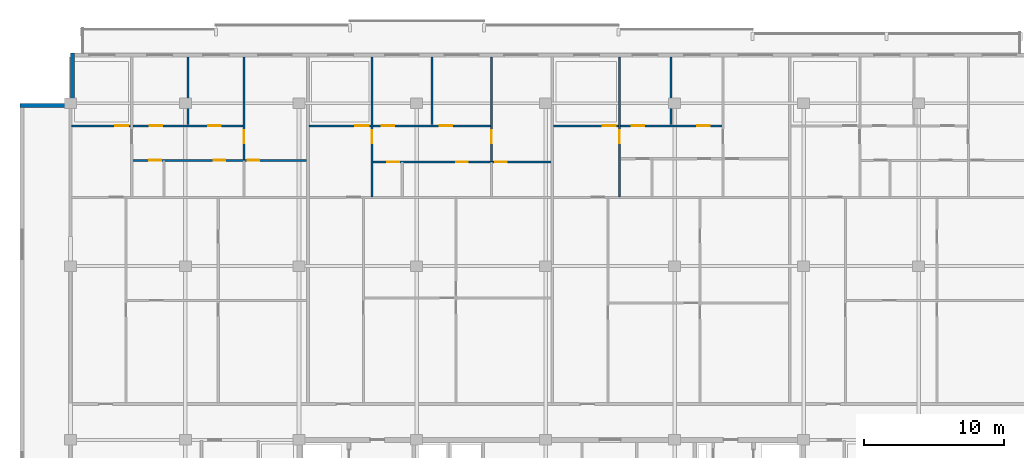
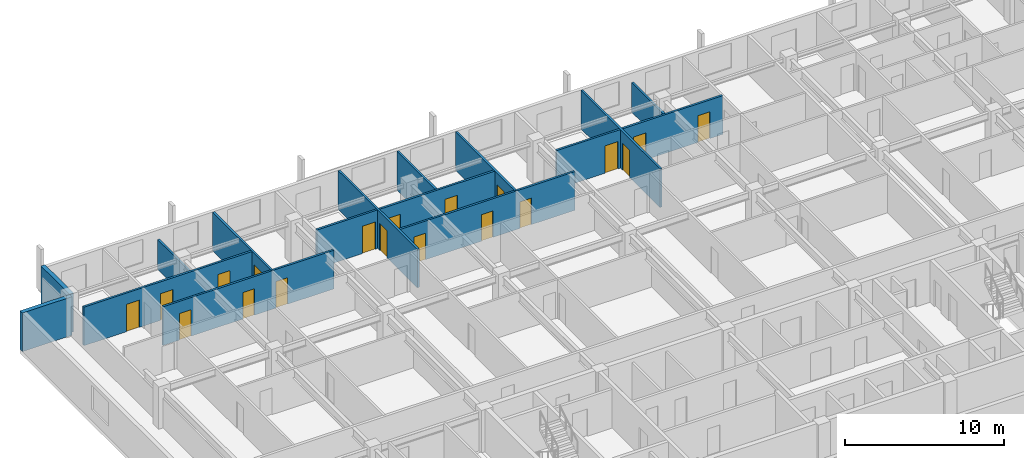
# One storey, part 15 of 24: 19 doors, 14 walls, 19 openings.
"""IFC4 building model written with IfcOpenShell, lengths in metres."""

from ifc_helpers import new_model, si_unit, direction, frame, frame_2d, origin, place, context, subcontext, project, spatial, rectangle, extrude, material, layer, layer_set, type_object, element, fill, save


model = new_model("IFC4")

# Units and contexts
model_context = context("Model", 3, precision=1e-05, world=origin(), true_north=direction((0.0, 1.0)))
body_context = subcontext(model_context, "Body", "Model", "MODEL_VIEW")
ifc_project = project(units=[si_unit("LENGTHUNIT", "METRE"), si_unit("AREAUNIT", "SQUARE_METRE"), si_unit("VOLUMEUNIT", "CUBIC_METRE"), si_unit("PLANEANGLEUNIT", "RADIAN"), si_unit("MASSUNIT", "GRAM", prefix="KILO")], contexts=[model_context])

# Site, building, storey
site_placement = place(None, origin())
site = spatial("IfcSite", under=ifc_project, at=site_placement, CompositionType="ELEMENT")
building_placement = place(site_placement, origin())
building = spatial("IfcBuilding", under=site, at=building_placement, Name="Korimba Cascade Residences", CompositionType="ELEMENT")
storey_placement = place(building_placement, frame((0.0, 0.0, 168.60009765625)))
storey = spatial("IfcBuildingStorey", under=building, at=storey_placement, Name="L48", CompositionType="ELEMENT", Elevation=168.60009765625)

# Walls
ifc_material_1 = material(Name="Precast concrete C40/50", Category="concrete")
ifc_layer_1 = layer(ifc_material_1, 0.300048828125)
ifc_layer_set_1 = layer_set([ifc_layer_1], Name="Precast concrete C40/50")
wall_type_1 = type_object("IfcWallType", Name="EW-STONE-300", PredefinedType="STANDARD", material=ifc_layer_set_1)
for number, where, z_axis, x_axis, name in (
    (1, (59.949951171875, 94.800048828125, 0.0), (0.0, 0.0, 1.0), (0.0, -1.0, 0.0), "L48 T1 Perimeter Stone Wall E07"),
    (2, (59.800048828125, 91.050048828125, 0.0), (0.0, 0.0, 1.0), (-1.0, 0.0, 0.0), "L48 T1 Perimeter Stone Wall E08"),
):
    element("IfcWall", number, at=place(storey_placement, frame(where, z_axis=z_axis, x_axis=x_axis)), inside=storey, type_object=wall_type_1, Name=name, PredefinedType="STANDARD", context=body_context, shape_type="SweptSolid", body=[
        extrude(rectangle(XDim=3.60009765625, YDim=0.300048828125, at=frame_2d((1.800048828125, 0.0))), origin(), (0.0, 0.0, 1.0), 2.969970703125),
    ])
ifc_material_2 = material(Name="Insulated Acoustic Stud Partition", Category="gypsum")
ifc_layer_2 = layer(ifc_material_2, 0.14990234375)
ifc_layer_set_2 = layer_set([ifc_layer_2], Name="Insulated Acoustic Stud Partition")
wall_type_2 = type_object("IfcWallType", Name="WAL-PART-150", PredefinedType="PARTITIONING", material=ifc_layer_set_2)
wall_1_placement = place(storey_placement, frame((68.177490234375, 89.679931640625, 0.0), z_axis=(0.0, 0.0, 1.0), x_axis=(0.0, 1.0, 0.0)))
element("IfcWall", 3, at=wall_1_placement, inside=storey, type_object=wall_type_2, Name="L48 Partition Wall WAL-L48-T1-U01-VB3", PredefinedType="PARTITIONING", context=body_context, shape_type="SweptSolid", body=[
    extrude(rectangle(XDim=4.820068359375, YDim=0.14990234375, at=frame_2d((2.41015625, 0.0))), origin(), (0.0, 0.0, 1.0), 2.277099609375),
])

# Wall, opening, door
wall_2_placement = place(storey_placement, frame((72.18505859375, 87.159912109375, 0.0), z_axis=(0.0, 0.0, 1.0), x_axis=(0.0, 1.0, 0.0)))
wall_2 = element("IfcWall", 4, at=wall_2_placement, inside=storey, type_object=wall_type_2, Name="L48 Partition Wall WAL-L48-T1-U01-V2FULL", PredefinedType="PARTITIONING", context=body_context, shape_type="SweptSolid", body=[
    extrude(rectangle(XDim=7.340087890625, YDim=0.14990234375, at=frame_2d((3.669921875, 0.0))), origin(), (0.0, 0.0, 1.0), 2.969970703125),
])
opening_1_placement = place(wall_2_placement, frame((1.199951171875, 0.0, 0.0)))
opening_1 = element("IfcOpeningElement", 5, at=opening_1_placement, cuts=wall_2, Name="Opening D-IN1", PredefinedType="OPENING", context=body_context, shape_type="SweptSolid", body=[
    extrude(rectangle(XDim=0.919921875, YDim=2.080078125, at=frame_2d((0.4599609375, 1.0400390625))), frame((0.0, 0.0849609375, 0.0), z_axis=(0.0, -1.0, 0.0), x_axis=(1.0, 0.0, 0.0)), (0.0, 0.0, 1.0), 0.169921875),
])
ifc_material_3 = material(Name="Acoustic Timber Living Door", Category="wood")
door_type_1 = type_object("IfcDoorType", Name="DR-INT-920", OperationType="NOTDEFINED", PredefinedType="DOOR", material=ifc_material_3)
door_1_placement = place(opening_1_placement, origin())
door_1 = element("IfcDoor", 6, at=door_1_placement, inside=storey, type_object=door_type_1, Name="L48-T1-U01 Master Bedroom Door", OperationType="SINGLE_SWING_LEFT", OverallHeight=2.080078125, OverallWidth=0.919921875, PredefinedType="DOOR", context=body_context, shape_type="SweptSolid", body=[
    extrude(rectangle(XDim=0.919921875, YDim=2.080078125, at=frame_2d((0.4599609375, 1.0400390625))), frame((0.0, 0.02490234375, 0.0), z_axis=(0.0, -1.0, 0.0), x_axis=(1.0, 0.0, 0.0)), (0.0, 0.0, 1.0), 0.050048828125),
])
fill(opening_1, door_1)

# Wall, openings, doors
wall_3_placement = place(storey_placement, frame((64.2099609375, 87.139892578125, 0.0), z_axis=(0.0, 0.0, 1.0), x_axis=(1.0, 0.0, 0.0)))
wall_3 = element("IfcWall", 7, at=wall_3_placement, inside=storey, type_object=wall_type_2, Name="L48 Partition Wall WAL-L48-T1-U01-HWALL", PredefinedType="PARTITIONING", context=body_context, shape_type="SweptSolid", body=[
    extrude(rectangle(XDim=12.445068359375, YDim=0.14990234375, at=frame_2d((6.22265625, 0.0))), origin(), (0.0, 0.0, 1.0), 2.969970703125),
])
opening_2_placement = place(wall_3_placement, frame((1.2099609375, 0.0, 0.0)))
opening_2 = element("IfcOpeningElement", 8, at=opening_2_placement, cuts=wall_3, Name="Opening D-BT1", PredefinedType="OPENING", context=body_context, shape_type="SweptSolid", body=[
    extrude(rectangle(XDim=0.840087890625, YDim=2.0400390625, at=frame_2d((0.419921875, 1.02001953125))), frame((0.0, 0.0849609375, 0.0), z_axis=(0.0, -1.0, 0.0), x_axis=(1.0, 0.0, 0.0)), (0.0, 0.0, 1.0), 0.169921875),
])
opening_3_placement = place(wall_3_placement, frame((5.802490234375, 0.0, 0.0)))
opening_3 = element("IfcOpeningElement", 9, at=opening_3_placement, cuts=wall_3, Name="Opening D-BT1", PredefinedType="OPENING", context=body_context, shape_type="SweptSolid", body=[
    extrude(rectangle(XDim=0.840087890625, YDim=2.0400390625, at=frame_2d((0.419921875, 1.02001953125))), frame((0.0, 0.0849609375, 0.0), z_axis=(0.0, -1.0, 0.0), x_axis=(1.0, 0.0, 0.0)), (0.0, 0.0, 1.0), 0.169921875),
])
opening_4_placement = place(wall_3_placement, frame((8.22509765625, 0.0, 0.0)))
opening_4 = element("IfcOpeningElement", 10, at=opening_4_placement, cuts=wall_3, Name="Opening D-BT1", PredefinedType="OPENING", context=body_context, shape_type="SweptSolid", body=[
    extrude(rectangle(XDim=0.840087890625, YDim=2.0400390625, at=frame_2d((0.419921875, 1.02001953125))), frame((0.0, 0.0849609375, 0.0), z_axis=(0.0, -1.0, 0.0), x_axis=(1.0, 0.0, 0.0)), (0.0, 0.0, 1.0), 0.169921875),
])
ifc_material_4 = material(Name="Moisture-Resistant Bathroom Timber Door", Category="wood")
door_type_2 = type_object("IfcDoorType", Name="DR-INT-850", OperationType="NOTDEFINED", PredefinedType="DOOR", material=ifc_material_4)
door_2_placement = place(opening_2_placement, origin())
door_2 = element("IfcDoor", 11, at=door_2_placement, inside=storey, type_object=door_type_2, Name="L48-T1-U01 Family Bathroom Door", OperationType="SINGLE_SWING_RIGHT", OverallHeight=2.0400390625, OverallWidth=0.840087890625, PredefinedType="DOOR", context=body_context, shape_type="SweptSolid", body=[
    extrude(rectangle(XDim=0.840087890625, YDim=2.0400390625, at=frame_2d((0.419921875, 1.02001953125))), frame((0.0, 0.02490234375, 0.0), z_axis=(0.0, -1.0, 0.0), x_axis=(1.0, 0.0, 0.0)), (0.0, 0.0, 1.0), 0.050048828125),
])
fill(opening_2, door_2)
door_3_placement = place(opening_3_placement, origin())
door_3 = element("IfcDoor", 12, at=door_3_placement, inside=storey, type_object=door_type_2, Name="L48-T1-U01 Dressing Room Door", OperationType="SINGLE_SWING_LEFT", OverallHeight=2.0400390625, OverallWidth=0.840087890625, PredefinedType="DOOR", context=body_context, shape_type="SweptSolid", body=[
    extrude(rectangle(XDim=0.840087890625, YDim=2.0400390625, at=frame_2d((0.419921875, 1.02001953125))), frame((0.0, 0.02490234375, 0.0), z_axis=(0.0, -1.0, 0.0), x_axis=(1.0, 0.0, 0.0)), (0.0, 0.0, 1.0), 0.050048828125),
])
fill(opening_3, door_3)
door_4_placement = place(opening_4_placement, origin())
door_4 = element("IfcDoor", 13, at=door_4_placement, inside=storey, type_object=door_type_2, Name="L48-T1-U01 En-Suite Door", OperationType="SINGLE_SWING_RIGHT", OverallHeight=2.0400390625, OverallWidth=0.840087890625, PredefinedType="DOOR", context=body_context, shape_type="SweptSolid", body=[
    extrude(rectangle(XDim=0.840087890625, YDim=2.0400390625, at=frame_2d((0.419921875, 1.02001953125))), frame((0.0, 0.02490234375, 0.0), z_axis=(0.0, -1.0, 0.0), x_axis=(1.0, 0.0, 0.0)), (0.0, 0.0, 1.0), 0.050048828125),
])
fill(opening_4, door_4)

wall_4_placement = place(storey_placement, frame((59.8798828125, 89.60009765625, 0.0), z_axis=(0.0, 0.0, 1.0), x_axis=(1.0, 0.0, 0.0)))
wall_4 = element("IfcWall", 14, at=wall_4_placement, inside=storey, type_object=wall_type_2, Name="L48 Partition Wall WAL-L48-T1-U01-HZ", PredefinedType="PARTITIONING", context=body_context, shape_type="SweptSolid", body=[
    extrude(rectangle(XDim=12.30517578125, YDim=0.14990234375, at=frame_2d((6.152587890625, 0.0))), origin(), (0.0, 0.0, 1.0), 2.969970703125),
])
opening_5_placement = place(wall_4_placement, frame((3.10009765625, 0.0, 0.0)))
opening_5 = element("IfcOpeningElement", 15, at=opening_5_placement, cuts=wall_4, Name="Opening D-IN0", PredefinedType="OPENING", context=body_context, shape_type="SweptSolid", body=[
    extrude(rectangle(XDim=0.93994140625, YDim=2.10009765625, at=frame_2d((0.469970703125, 1.050048828125))), frame((0.0, 0.0849609375, 0.0), z_axis=(0.0, -1.0, 0.0), x_axis=(1.0, 0.0, 0.0)), (0.0, 0.0, 1.0), 0.169921875),
])
opening_6_placement = place(wall_4_placement, frame((5.5849609375, 0.0, 0.0)))
opening_6 = element("IfcOpeningElement", 16, at=opening_6_placement, cuts=wall_4, Name="Opening D-IN2", PredefinedType="OPENING", context=body_context, shape_type="SweptSolid", body=[
    extrude(rectangle(XDim=0.8798828125, YDim=2.06005859375, at=frame_2d((0.43994140625, 1.030029296875))), frame((0.0, 0.0849609375, 0.0), z_axis=(0.0, -1.0, 0.0), x_axis=(1.0, 0.0, 0.0)), (0.0, 0.0, 1.0), 0.169921875),
])
opening_7_placement = place(wall_4_placement, frame((9.75390625, 0.0, 0.0)))
opening_7 = element("IfcOpeningElement", 17, at=opening_7_placement, cuts=wall_4, Name="Opening D-IN2", PredefinedType="OPENING", context=body_context, shape_type="SweptSolid", body=[
    extrude(rectangle(XDim=0.8798828125, YDim=2.06005859375, at=frame_2d((0.43994140625, 1.030029296875))), frame((0.0, 0.0849609375, 0.0), z_axis=(0.0, -1.0, 0.0), x_axis=(1.0, 0.0, 0.0)), (0.0, 0.0, 1.0), 0.169921875),
])
ifc_material_5 = material(Name="Acoustic Timber Bedroom Door", Category="wood")
door_type_3 = type_object("IfcDoorType", Name="DR-INT-880", OperationType="NOTDEFINED", PredefinedType="DOOR", material=ifc_material_5)
door_5_placement = place(opening_6_placement, origin())
door_5 = element("IfcDoor", 18, at=door_5_placement, inside=storey, type_object=door_type_3, Name="L48-T1-U01 Bedroom 2 Door", OperationType="SINGLE_SWING_LEFT", OverallHeight=2.06005859375, OverallWidth=0.8798828125, PredefinedType="DOOR", context=body_context, shape_type="SweptSolid", body=[
    extrude(rectangle(XDim=0.8798828125, YDim=2.06005859375, at=frame_2d((0.43994140625, 1.030029296875))), frame((0.0, 0.02490234375, 0.0), z_axis=(0.0, -1.0, 0.0), x_axis=(1.0, 0.0, 0.0)), (0.0, 0.0, 1.0), 0.050048828125),
])
fill(opening_6, door_5)
door_6_placement = place(opening_7_placement, origin())
door_6 = element("IfcDoor", 19, at=door_6_placement, inside=storey, type_object=door_type_3, Name="L48-T1-U01 Bedroom 3 Door", OperationType="SINGLE_SWING_RIGHT", OverallHeight=2.06005859375, OverallWidth=0.8798828125, PredefinedType="DOOR", context=body_context, shape_type="SweptSolid", body=[
    extrude(rectangle(XDim=0.8798828125, YDim=2.06005859375, at=frame_2d((0.43994140625, 1.030029296875))), frame((0.0, 0.02490234375, 0.0), z_axis=(0.0, -1.0, 0.0), x_axis=(1.0, 0.0, 0.0)), (0.0, 0.0, 1.0), 0.050048828125),
])
fill(opening_7, door_6)
ifc_material_6 = material(Name="Acoustic Timber Living Archway Door", Category="wood")
door_type_4 = type_object("IfcDoorType", Name="DR-INT-950", OperationType="NOTDEFINED", PredefinedType="DOOR", material=ifc_material_6)
door_7_placement = place(opening_5_placement, origin())
door_7 = element("IfcDoor", 20, at=door_7_placement, inside=storey, type_object=door_type_4, Name="L48-T1-U01 Living Room Door", OperationType="SINGLE_SWING_RIGHT", OverallHeight=2.10009765625, OverallWidth=0.93994140625, PredefinedType="DOOR", context=body_context, shape_type="SweptSolid", body=[
    extrude(rectangle(XDim=0.93994140625, YDim=2.10009765625, at=frame_2d((0.469970703125, 1.050048828125))), frame((0.0, 0.02490234375, 0.0), z_axis=(0.0, -1.0, 0.0), x_axis=(1.0, 0.0, 0.0)), (0.0, 0.0, 1.0), 0.050048828125),
])
fill(opening_5, door_7)

# Wall
wall_5_placement = place(storey_placement, frame((85.580078125, 89.679931640625, 0.0), z_axis=(0.0, 0.0, 1.0), x_axis=(0.0, 1.0, 0.0)))
element("IfcWall", 21, at=wall_5_placement, inside=storey, type_object=wall_type_2, Name="L48 Partition Wall WAL-L48-T1-U02-VB3", PredefinedType="PARTITIONING", context=body_context, shape_type="SweptSolid", body=[
    extrude(rectangle(XDim=4.820068359375, YDim=0.14990234375, at=frame_2d((2.41015625, 0.0))), origin(), (0.0, 0.0, 1.0), 2.969970703125),
])

# Wall, opening, door
wall_6_placement = place(storey_placement, frame((81.315185546875, 84.5400390625, 0.0), z_axis=(0.0, 0.0, 1.0), x_axis=(0.0, 1.0, 0.0)))
wall_6 = element("IfcWall", 22, at=wall_6_placement, inside=storey, type_object=wall_type_2, Name="L48 Partition Wall WAL-L48-T1-U02-V1", PredefinedType="PARTITIONING", context=body_context, shape_type="SweptSolid", body=[
    extrude(rectangle(XDim=9.9599609375, YDim=0.14990234375, at=frame_2d((4.97998046875, 0.0))), origin(), (0.0, 0.0, 1.0), 2.969970703125),
])
opening_8_placement = place(wall_6_placement, frame((3.820068359375, 0.0, 0.0)))
opening_8 = element("IfcOpeningElement", 23, at=opening_8_placement, cuts=wall_6, Name="Opening D-IN1", PredefinedType="OPENING", context=body_context, shape_type="SweptSolid", body=[
    extrude(rectangle(XDim=0.919921875, YDim=2.080078125, at=frame_2d((0.4599609375, 1.0400390625))), frame((0.0, 0.0849609375, 0.0), z_axis=(0.0, -1.0, 0.0), x_axis=(1.0, 0.0, 0.0)), (0.0, 0.0, 1.0), 0.169921875),
])
door_8_placement = place(opening_8_placement, origin())
door_8 = element("IfcDoor", 24, at=door_8_placement, inside=storey, type_object=door_type_1, Name="L48-T1-U02 Hallway Door", OperationType="SINGLE_SWING_LEFT", OverallHeight=2.080078125, OverallWidth=0.919921875, PredefinedType="DOOR", context=body_context, shape_type="SweptSolid", body=[
    extrude(rectangle(XDim=0.919921875, YDim=2.080078125, at=frame_2d((0.4599609375, 1.0400390625))), frame((0.0, 0.02490234375, 0.0), z_axis=(0.0, -1.0, 0.0), x_axis=(1.0, 0.0, 0.0)), (0.0, 0.0, 1.0), 0.050048828125),
])
fill(opening_8, door_8)

wall_7_placement = place(storey_placement, frame((89.844970703125, 87.050048828125, 0.0), z_axis=(0.0, 0.0, 1.0), x_axis=(0.0, 1.0, 0.0)))
wall_7 = element("IfcWall", 25, at=wall_7_placement, inside=storey, type_object=wall_type_2, Name="L48 Partition Wall WAL-L48-T1-U02-V2FULL", PredefinedType="PARTITIONING", context=body_context, shape_type="SweptSolid", body=[
    extrude(rectangle(XDim=7.449951171875, YDim=0.14990234375, at=frame_2d((3.72509765625, 0.0))), origin(), (0.0, 0.0, 1.0), 2.969970703125),
])
opening_9_placement = place(wall_7_placement, frame((1.31005859375, 0.0, 0.0)))
opening_9 = element("IfcOpeningElement", 26, at=opening_9_placement, cuts=wall_7, Name="Opening D-IN1", PredefinedType="OPENING", context=body_context, shape_type="SweptSolid", body=[
    extrude(rectangle(XDim=0.919921875, YDim=2.080078125, at=frame_2d((0.4599609375, 1.0400390625))), frame((0.0, 0.0849609375, 0.0), z_axis=(0.0, -1.0, 0.0), x_axis=(1.0, 0.0, 0.0)), (0.0, 0.0, 1.0), 0.169921875),
])
door_9_placement = place(opening_9_placement, origin())
door_9 = element("IfcDoor", 27, at=door_9_placement, inside=storey, type_object=door_type_1, Name="L48-T1-U02 Master Bedroom Door", OperationType="SINGLE_SWING_RIGHT", OverallHeight=2.080078125, OverallWidth=0.919921875, PredefinedType="DOOR", context=body_context, shape_type="SweptSolid", body=[
    extrude(rectangle(XDim=0.919921875, YDim=2.080078125, at=frame_2d((0.4599609375, 1.0400390625))), frame((0.0, 0.02490234375, 0.0), z_axis=(0.0, -1.0, 0.0), x_axis=(1.0, 0.0, 0.0)), (0.0, 0.0, 1.0), 0.050048828125),
])
fill(opening_9, door_9)

# Wall, openings, doors
wall_8_placement = place(storey_placement, frame((81.35498046875, 87.030029296875, 0.0), z_axis=(0.0, 0.0, 1.0), x_axis=(1.0, 0.0, 0.0)))
wall_8 = element("IfcWall", 28, at=wall_8_placement, inside=storey, type_object=wall_type_2, Name="L48 Partition Wall WAL-L48-T1-U02-HWALL", PredefinedType="PARTITIONING", context=body_context, shape_type="SweptSolid", body=[
    extrude(rectangle(XDim=12.739990234375, YDim=0.14990234375, at=frame_2d((6.3701171875, 0.0))), origin(), (0.0, 0.0, 1.0), 2.969970703125),
])
opening_10_placement = place(wall_8_placement, frame((1.050048828125, 0.0, 0.0)))
opening_10 = element("IfcOpeningElement", 29, at=opening_10_placement, cuts=wall_8, Name="Opening D-BT1", PredefinedType="OPENING", context=body_context, shape_type="SweptSolid", body=[
    extrude(rectangle(XDim=0.840087890625, YDim=2.0400390625, at=frame_2d((0.419921875, 1.02001953125))), frame((0.0, 0.0849609375, 0.0), z_axis=(0.0, -1.0, 0.0), x_axis=(1.0, 0.0, 0.0)), (0.0, 0.0, 1.0), 0.169921875),
])
opening_11_placement = place(wall_8_placement, frame((5.949951171875, 0.0, 0.0)))
opening_11 = element("IfcOpeningElement", 30, at=opening_11_placement, cuts=wall_8, Name="Opening D-BT1", PredefinedType="OPENING", context=body_context, shape_type="SweptSolid", body=[
    extrude(rectangle(XDim=0.840087890625, YDim=2.0400390625, at=frame_2d((0.419921875, 1.02001953125))), frame((0.0, 0.0849609375, 0.0), z_axis=(0.0, -1.0, 0.0), x_axis=(1.0, 0.0, 0.0)), (0.0, 0.0, 1.0), 0.169921875),
])
opening_12_placement = place(wall_8_placement, frame((8.739990234375, 0.0, 0.0)))
opening_12 = element("IfcOpeningElement", 31, at=opening_12_placement, cuts=wall_8, Name="Opening D-BT1", PredefinedType="OPENING", context=body_context, shape_type="SweptSolid", body=[
    extrude(rectangle(XDim=0.840087890625, YDim=2.0400390625, at=frame_2d((0.419921875, 1.02001953125))), frame((0.0, 0.0849609375, 0.0), z_axis=(0.0, -1.0, 0.0), x_axis=(1.0, 0.0, 0.0)), (0.0, 0.0, 1.0), 0.169921875),
])
door_10_placement = place(opening_10_placement, origin())
door_10 = element("IfcDoor", 32, at=door_10_placement, inside=storey, type_object=door_type_2, Name="L48-T1-U02 Family Bathroom Door", OperationType="SINGLE_SWING_LEFT", OverallHeight=2.0400390625, OverallWidth=0.840087890625, PredefinedType="DOOR", context=body_context, shape_type="SweptSolid", body=[
    extrude(rectangle(XDim=0.840087890625, YDim=2.0400390625, at=frame_2d((0.419921875, 1.02001953125))), frame((0.0, 0.02490234375, 0.0), z_axis=(0.0, -1.0, 0.0), x_axis=(1.0, 0.0, 0.0)), (0.0, 0.0, 1.0), 0.050048828125),
])
fill(opening_10, door_10)
door_11_placement = place(opening_11_placement, origin())
door_11 = element("IfcDoor", 33, at=door_11_placement, inside=storey, type_object=door_type_2, Name="L48-T1-U02 Dressing Room Door", OperationType="SINGLE_SWING_RIGHT", OverallHeight=2.0400390625, OverallWidth=0.840087890625, PredefinedType="DOOR", context=body_context, shape_type="SweptSolid", body=[
    extrude(rectangle(XDim=0.840087890625, YDim=2.0400390625, at=frame_2d((0.419921875, 1.02001953125))), frame((0.0, 0.02490234375, 0.0), z_axis=(0.0, -1.0, 0.0), x_axis=(1.0, 0.0, 0.0)), (0.0, 0.0, 1.0), 0.050048828125),
])
fill(opening_11, door_11)
door_12_placement = place(opening_12_placement, origin())
door_12 = element("IfcDoor", 34, at=door_12_placement, inside=storey, type_object=door_type_2, Name="L48-T1-U02 En-Suite Door", OperationType="SINGLE_SWING_LEFT", OverallHeight=2.0400390625, OverallWidth=0.840087890625, PredefinedType="DOOR", context=body_context, shape_type="SweptSolid", body=[
    extrude(rectangle(XDim=0.840087890625, YDim=2.0400390625, at=frame_2d((0.419921875, 1.02001953125))), frame((0.0, 0.02490234375, 0.0), z_axis=(0.0, -1.0, 0.0), x_axis=(1.0, 0.0, 0.0)), (0.0, 0.0, 1.0), 0.050048828125),
])
fill(opening_12, door_12)

wall_9_placement = place(storey_placement, frame((76.815185546875, 89.60009765625, 0.0), z_axis=(0.0, 0.0, 1.0), x_axis=(1.0, 0.0, 0.0)))
wall_9 = element("IfcWall", 35, at=wall_9_placement, inside=storey, type_object=wall_type_2, Name="L48 Partition Wall WAL-L48-T1-U02-HZ", PredefinedType="PARTITIONING", context=body_context, shape_type="SweptSolid", body=[
    extrude(rectangle(XDim=13.02978515625, YDim=0.14990234375, at=frame_2d((6.514892578125, 0.0))), origin(), (0.0, 0.0, 1.0), 2.969970703125),
])
opening_13_placement = place(wall_9_placement, frame((3.31005859375, 0.0, 0.0)))
opening_13 = element("IfcOpeningElement", 36, at=opening_13_placement, cuts=wall_9, Name="Opening D-IN0", PredefinedType="OPENING", context=body_context, shape_type="SweptSolid", body=[
    extrude(rectangle(XDim=0.93994140625, YDim=2.10009765625, at=frame_2d((0.469970703125, 1.050048828125))), frame((0.0, 0.0849609375, 0.0), z_axis=(0.0, -1.0, 0.0), x_axis=(1.0, 0.0, 0.0)), (0.0, 0.0, 1.0), 0.169921875),
])
opening_14_placement = place(wall_9_placement, frame((5.191162109375, 0.0, 0.0)))
opening_14 = element("IfcOpeningElement", 37, at=opening_14_placement, cuts=wall_9, Name="Opening D-IN2", PredefinedType="OPENING", context=body_context, shape_type="SweptSolid", body=[
    extrude(rectangle(XDim=0.8798828125, YDim=2.06005859375, at=frame_2d((0.43994140625, 1.030029296875))), frame((0.0, 0.0849609375, 0.0), z_axis=(0.0, -1.0, 0.0), x_axis=(1.0, 0.0, 0.0)), (0.0, 0.0, 1.0), 0.169921875),
])
opening_15_placement = place(wall_9_placement, frame((9.33837890625, 0.0, 0.0)))
opening_15 = element("IfcOpeningElement", 38, at=opening_15_placement, cuts=wall_9, Name="Opening D-IN2", PredefinedType="OPENING", context=body_context, shape_type="SweptSolid", body=[
    extrude(rectangle(XDim=0.8798828125, YDim=2.06005859375, at=frame_2d((0.43994140625, 1.030029296875))), frame((0.0, 0.0849609375, 0.0), z_axis=(0.0, -1.0, 0.0), x_axis=(1.0, 0.0, 0.0)), (0.0, 0.0, 1.0), 0.169921875),
])
door_13_placement = place(opening_14_placement, origin())
door_13 = element("IfcDoor", 39, at=door_13_placement, inside=storey, type_object=door_type_3, Name="L48-T1-U02 Bedroom 2 Door", OperationType="SINGLE_SWING_RIGHT", OverallHeight=2.06005859375, OverallWidth=0.8798828125, PredefinedType="DOOR", context=body_context, shape_type="SweptSolid", body=[
    extrude(rectangle(XDim=0.8798828125, YDim=2.06005859375, at=frame_2d((0.43994140625, 1.030029296875))), frame((0.0, 0.02490234375, 0.0), z_axis=(0.0, -1.0, 0.0), x_axis=(1.0, 0.0, 0.0)), (0.0, 0.0, 1.0), 0.050048828125),
])
fill(opening_14, door_13)
door_14_placement = place(opening_15_placement, origin())
door_14 = element("IfcDoor", 40, at=door_14_placement, inside=storey, type_object=door_type_3, Name="L48-T1-U02 Bedroom 3 Door", OperationType="SINGLE_SWING_LEFT", OverallHeight=2.06005859375, OverallWidth=0.8798828125, PredefinedType="DOOR", context=body_context, shape_type="SweptSolid", body=[
    extrude(rectangle(XDim=0.8798828125, YDim=2.06005859375, at=frame_2d((0.43994140625, 1.030029296875))), frame((0.0, 0.02490234375, 0.0), z_axis=(0.0, -1.0, 0.0), x_axis=(1.0, 0.0, 0.0)), (0.0, 0.0, 1.0), 0.050048828125),
])
fill(opening_15, door_14)
door_15_placement = place(opening_13_placement, origin())
door_15 = element("IfcDoor", 41, at=door_15_placement, inside=storey, type_object=door_type_4, Name="L48-T1-U02 Living Room Door", OperationType="SINGLE_SWING_LEFT", OverallHeight=2.10009765625, OverallWidth=0.93994140625, PredefinedType="DOOR", context=body_context, shape_type="SweptSolid", body=[
    extrude(rectangle(XDim=0.93994140625, YDim=2.10009765625, at=frame_2d((0.469970703125, 1.050048828125))), frame((0.0, 0.02490234375, 0.0), z_axis=(0.0, -1.0, 0.0), x_axis=(1.0, 0.0, 0.0)), (0.0, 0.0, 1.0), 0.050048828125),
])
fill(opening_13, door_15)

# Wall
wall_10_placement = place(storey_placement, frame((102.652587890625, 89.679931640625, 0.0), z_axis=(0.0, 0.0, 1.0), x_axis=(0.0, 1.0, 0.0)))
element("IfcWall", 42, at=wall_10_placement, inside=storey, type_object=wall_type_2, Name="L48 Partition Wall WAL-L48-T1-U03-VB3", PredefinedType="PARTITIONING", context=body_context, shape_type="SweptSolid", body=[
    extrude(rectangle(XDim=4.820068359375, YDim=0.14990234375, at=frame_2d((2.41015625, 0.0))), origin(), (0.0, 0.0, 1.0), 2.277099609375),
])

# Wall, opening, door
wall_11_placement = place(storey_placement, frame((98.965087890625, 84.5400390625, 0.0), z_axis=(0.0, 0.0, 1.0), x_axis=(0.0, 1.0, 0.0)))
wall_11 = element("IfcWall", 43, at=wall_11_placement, inside=storey, type_object=wall_type_2, Name="L48 Partition Wall WAL-L48-T1-U03-V1", PredefinedType="PARTITIONING", context=body_context, shape_type="SweptSolid", body=[
    extrude(rectangle(XDim=9.9599609375, YDim=0.14990234375, at=frame_2d((4.97998046875, 0.0))), origin(), (0.0, 0.0, 1.0), 2.969970703125),
])
opening_16_placement = place(wall_11_placement, frame((3.820068359375, 0.0, 0.0)))
opening_16 = element("IfcOpeningElement", 44, at=opening_16_placement, cuts=wall_11, Name="Opening D-IN1", PredefinedType="OPENING", context=body_context, shape_type="SweptSolid", body=[
    extrude(rectangle(XDim=0.919921875, YDim=2.080078125, at=frame_2d((0.4599609375, 1.0400390625))), frame((0.0, 0.0849609375, 0.0), z_axis=(0.0, -1.0, 0.0), x_axis=(1.0, 0.0, 0.0)), (0.0, 0.0, 1.0), 0.169921875),
])
door_16_placement = place(opening_16_placement, origin())
door_16 = element("IfcDoor", 45, at=door_16_placement, inside=storey, type_object=door_type_1, Name="L48-T1-U03 Hallway Door", OperationType="SINGLE_SWING_RIGHT", OverallHeight=2.080078125, OverallWidth=0.919921875, PredefinedType="DOOR", context=body_context, shape_type="SweptSolid", body=[
    extrude(rectangle(XDim=0.919921875, YDim=2.080078125, at=frame_2d((0.4599609375, 1.0400390625))), frame((0.0, 0.02490234375, 0.0), z_axis=(0.0, -1.0, 0.0), x_axis=(1.0, 0.0, 0.0)), (0.0, 0.0, 1.0), 0.050048828125),
])
fill(opening_16, door_16)

# Wall, openings, doors
wall_12_placement = place(storey_placement, frame((94.2548828125, 89.60009765625, 0.0), z_axis=(0.0, 0.0, 1.0), x_axis=(1.0, 0.0, 0.0)))
wall_12 = element("IfcWall", 46, at=wall_12_placement, inside=storey, type_object=wall_type_2, Name="L48 Partition Wall WAL-L48-T1-U03-HZ", PredefinedType="PARTITIONING", context=body_context, shape_type="SweptSolid", body=[
    extrude(rectangle(XDim=12.085205078125, YDim=0.14990234375, at=frame_2d((6.04248046875, 0.0))), origin(), (0.0, 0.0, 1.0), 2.969970703125),
])
opening_17_placement = place(wall_12_placement, frame((3.52001953125, 0.0, 0.0)))
opening_17 = element("IfcOpeningElement", 47, at=opening_17_placement, cuts=wall_12, Name="Opening D-IN0", PredefinedType="OPENING", context=body_context, shape_type="SweptSolid", body=[
    extrude(rectangle(XDim=0.93994140625, YDim=2.10009765625, at=frame_2d((0.469970703125, 1.050048828125))), frame((0.0, 0.0849609375, 0.0), z_axis=(0.0, -1.0, 0.0), x_axis=(1.0, 0.0, 0.0)), (0.0, 0.0, 1.0), 0.169921875),
])
opening_18_placement = place(wall_12_placement, frame((5.6025390625, 0.0, 0.0)))
opening_18 = element("IfcOpeningElement", 48, at=opening_18_placement, cuts=wall_12, Name="Opening D-IN2", PredefinedType="OPENING", context=body_context, shape_type="SweptSolid", body=[
    extrude(rectangle(XDim=0.8798828125, YDim=2.06005859375, at=frame_2d((0.43994140625, 1.030029296875))), frame((0.0, 0.0849609375, 0.0), z_axis=(0.0, -1.0, 0.0), x_axis=(1.0, 0.0, 0.0)), (0.0, 0.0, 1.0), 0.169921875),
])
opening_19_placement = place(wall_12_placement, frame((10.27490234375, 0.0, 0.0)))
opening_19 = element("IfcOpeningElement", 49, at=opening_19_placement, cuts=wall_12, Name="Opening D-IN2", PredefinedType="OPENING", context=body_context, shape_type="SweptSolid", body=[
    extrude(rectangle(XDim=0.8798828125, YDim=2.06005859375, at=frame_2d((0.43994140625, 1.030029296875))), frame((0.0, 0.0849609375, 0.0), z_axis=(0.0, -1.0, 0.0), x_axis=(1.0, 0.0, 0.0)), (0.0, 0.0, 1.0), 0.169921875),
])
door_17_placement = place(opening_18_placement, origin())
door_17 = element("IfcDoor", 50, at=door_17_placement, inside=storey, type_object=door_type_3, Name="L48-T1-U03 Bedroom 2 Door", OperationType="SINGLE_SWING_LEFT", OverallHeight=2.06005859375, OverallWidth=0.8798828125, PredefinedType="DOOR", context=body_context, shape_type="SweptSolid", body=[
    extrude(rectangle(XDim=0.8798828125, YDim=2.06005859375, at=frame_2d((0.43994140625, 1.030029296875))), frame((0.0, 0.02490234375, 0.0), z_axis=(0.0, -1.0, 0.0), x_axis=(1.0, 0.0, 0.0)), (0.0, 0.0, 1.0), 0.050048828125),
])
fill(opening_18, door_17)
door_18_placement = place(opening_19_placement, origin())
door_18 = element("IfcDoor", 51, at=door_18_placement, inside=storey, type_object=door_type_3, Name="L48-T1-U03 Bedroom 3 Door", OperationType="SINGLE_SWING_RIGHT", OverallHeight=2.06005859375, OverallWidth=0.8798828125, PredefinedType="DOOR", context=body_context, shape_type="SweptSolid", body=[
    extrude(rectangle(XDim=0.8798828125, YDim=2.06005859375, at=frame_2d((0.43994140625, 1.030029296875))), frame((0.0, 0.02490234375, 0.0), z_axis=(0.0, -1.0, 0.0), x_axis=(1.0, 0.0, 0.0)), (0.0, 0.0, 1.0), 0.050048828125),
])
fill(opening_19, door_18)
door_19_placement = place(opening_17_placement, origin())
door_19 = element("IfcDoor", 52, at=door_19_placement, inside=storey, type_object=door_type_4, Name="L48-T1-U03 Living Room Door", OperationType="SINGLE_SWING_RIGHT", OverallHeight=2.10009765625, OverallWidth=0.93994140625, PredefinedType="DOOR", context=body_context, shape_type="SweptSolid", body=[
    extrude(rectangle(XDim=0.93994140625, YDim=2.10009765625, at=frame_2d((0.469970703125, 1.050048828125))), frame((0.0, 0.02490234375, 0.0), z_axis=(0.0, -1.0, 0.0), x_axis=(1.0, 0.0, 0.0)), (0.0, 0.0, 1.0), 0.050048828125),
])
fill(opening_17, door_19)

save(model, "model.ifc")
